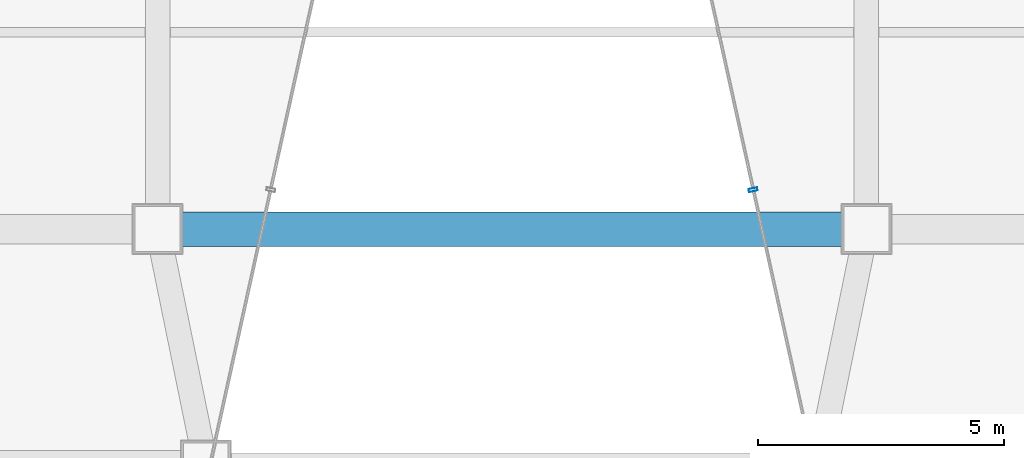
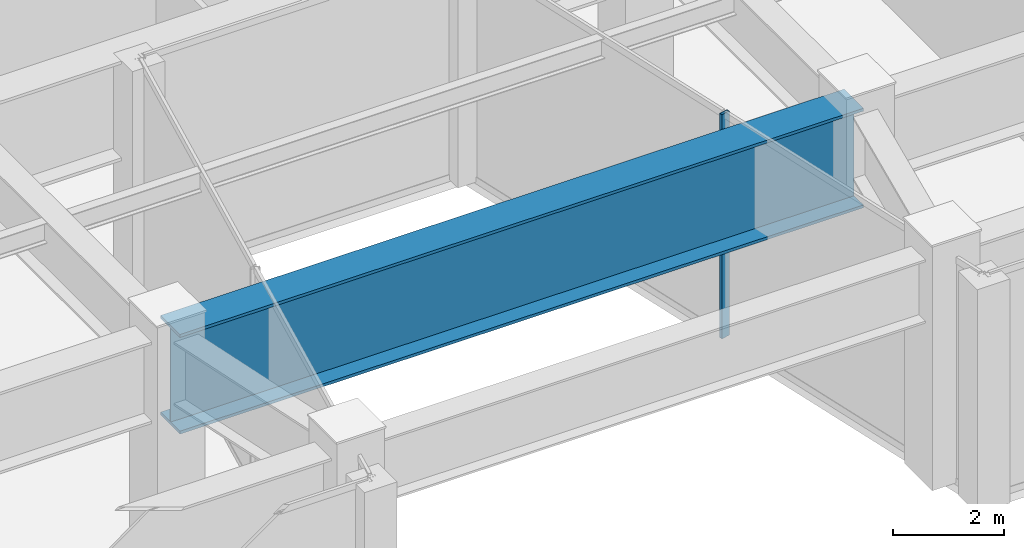
# One storey, part 7 of 42: 1 beam, 1 member, 1 element without a shape of its own.
"""IFC4 building model written with IfcOpenShell, lengths in metres."""

from ifc_helpers import new_model, si_unit, direction, frame, origin, origin_2d, place, context, subcontext, project, spatial, hollow_rectangle, i_section, extrude, material, material_profile, profile_set, type_object, element, aggregate, save


model = new_model("IFC4")

# Units and contexts
model_context = context("Model", 3, precision=1e-05, world=origin(), true_north=direction((0.0, 1.0)))
body_context = subcontext(model_context, "Body", "Model", "MODEL_VIEW")
ifc_project = project(units=[si_unit("LENGTHUNIT", "METRE"), si_unit("AREAUNIT", "SQUARE_METRE"), si_unit("VOLUMEUNIT", "CUBIC_METRE"), si_unit("PLANEANGLEUNIT", "RADIAN"), si_unit("MASSUNIT", "GRAM", prefix="KILO")], contexts=[model_context])

# Site, building, storey
site_placement = place(None, origin())
site = spatial("IfcSite", under=ifc_project, at=site_placement, CompositionType="ELEMENT")
building_placement = place(site_placement, origin())
building = spatial("IfcBuilding", under=site, at=building_placement, Name="Saevonmaru Cultural Tower", CompositionType="ELEMENT")
storey_placement = place(building_placement, frame((0.0, 0.0, 33.0)))
storey = spatial("IfcBuildingStorey", under=building, at=storey_placement, Name="L06", CompositionType="ELEMENT", Elevation=33.0)

# Beam
ifc_material_1 = material(Name="Steel HSA600 (600 MPa)", Category="steel")
ifc_material_profile_1 = material_profile(ifc_material_1, i_section(OverallWidth=0.699951171875, OverallDepth=2.199951171875, WebThickness=0.031982421875, FlangeThickness=0.06494140625, at=origin_2d()), Name="PG-2200x700x32x65")
ifc_profile_set_1 = profile_set([ifc_material_profile_1], Name="Steel HSA600 (600 MPa)")
beam_type = type_object("IfcBeamType", Name="BM-TG-PG2200", PredefinedType="BEAM", material=ifc_profile_set_1)
beam_placement = place(storey_placement, frame((22.860107421875, 8.0, 3.85009765625), z_axis=(1.0, 0.0, 0.0), x_axis=(0.0, 1.0, 0.0)))
element("IfcBeam", 1, at=beam_placement, inside=storey, type_object=beam_type, Name="L06 Long-Span Hall Girder C-1", PredefinedType="BEAM", context=body_context, shape_type="SweptSolid", body=[
    extrude(i_section(OverallWidth=0.699951171875, OverallDepth=2.199951171875, WebThickness=0.031982421875, FlangeThickness=0.06494140625, at=origin_2d()), origin(), (0.0, 0.0, 1.0), 14.27978515625),
])

# Curtain wall, member
ifc_material_2 = material(Name="Satin Bronze Anodised Aluminium", Category="aluminium")
curtain_wall_type = type_object("IfcCurtainWallType", Name="CW-SKY-GLZ", PredefinedType="NOTDEFINED", material=ifc_material_2)
curtain_wall_placement = place(storey_placement, origin())
curtain_wall = element("IfcCurtainWall", 2, at=curtain_wall_placement, inside=storey, type_object=curtain_wall_type, Name="L06 Unitised Curtain Wall E5", PredefinedType="NOTDEFINED")
ifc_material_profile_2 = material_profile(ifc_material_2, hollow_rectangle(XDim=0.06494140625, YDim=0.179931640625, WallThickness=0.00390625, at=origin_2d()), Name="ALU-MULL-180x65x4")
ifc_profile_set_2 = profile_set([ifc_material_profile_2], Name="Satin Bronze Anodised Aluminium")
member_type = type_object("IfcMemberType", Name="ML-CW-180x65", PredefinedType="MULLION", material=ifc_profile_set_2)
member_placement = place(storey_placement, frame((34.89990234375, 8.800048828125, 0.0), z_axis=(0.0, 0.0, 1.0), x_axis=(0.215413319953, -0.976522965212, 0.0)))
member = element("IfcMember", 3, at=member_placement, type_object=member_type, Name="CW-TW-L06-E5 mullion 2", PredefinedType="MULLION", context=body_context, shape_type="SweptSolid", body=[
    extrude(hollow_rectangle(XDim=0.06494140625, YDim=0.179931640625, WallThickness=0.00390625, at=origin_2d()), origin(), (0.0, 0.0, 1.0), 4.949951171875),
])
aggregate(curtain_wall, [member])

save(model, "model.ifc")
